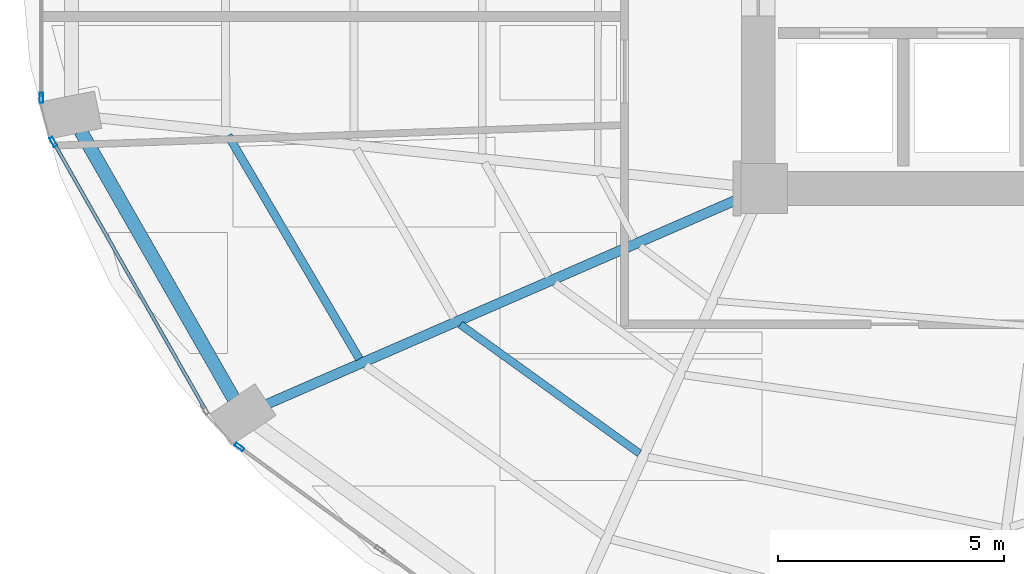
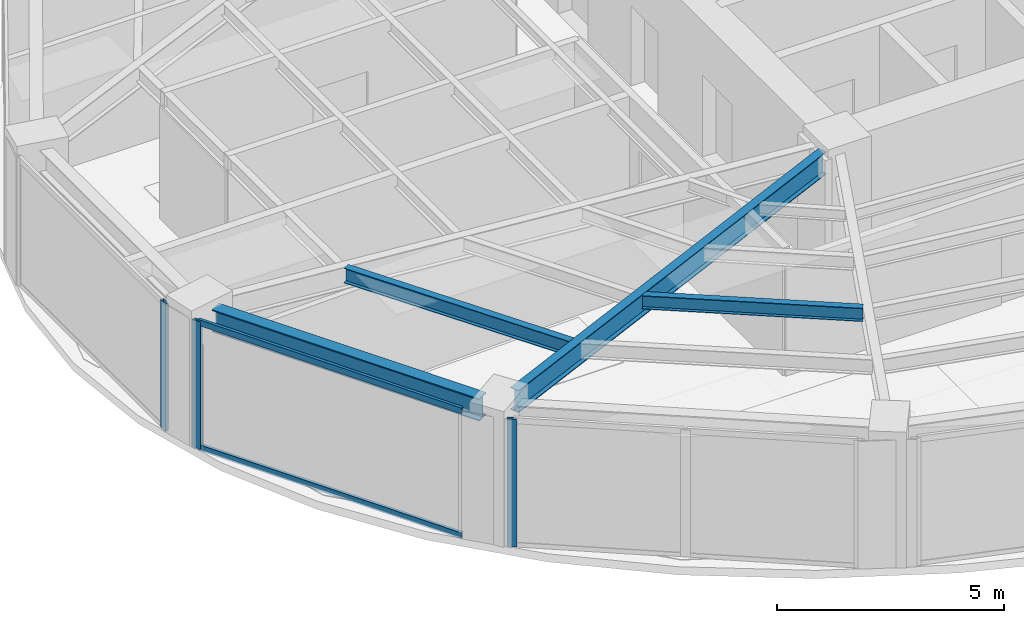
# One storey, part 3 of 24: 5 members, 4 beams, 3 elements without a shape of their own.
"""IFC4 building model written with IfcOpenShell, lengths in metres."""

from ifc_helpers import new_model, si_unit, direction, frame, origin, origin_2d, place, context, subcontext, project, spatial, hollow_rectangle, i_section, extrude, material, layer, layer_set, material_profile, profile_set, type_object, element, aggregate, save


model = new_model("IFC4")

# Units and contexts
model_context = context("Model", 3, precision=1e-05, world=origin(), true_north=direction((0.0, 1.0)))
body_context = subcontext(model_context, "Body", "Model", "MODEL_VIEW")
ifc_project = project(units=[si_unit("LENGTHUNIT", "METRE"), si_unit("AREAUNIT", "SQUARE_METRE"), si_unit("VOLUMEUNIT", "CUBIC_METRE"), si_unit("PLANEANGLEUNIT", "RADIAN"), si_unit("MASSUNIT", "GRAM", prefix="KILO")], contexts=[model_context])

# Site, building, storey
site_placement = place(None, origin())
site = spatial("IfcSite", under=ifc_project, at=site_placement, CompositionType="ELEMENT")
building_placement = place(site_placement, origin())
building = spatial("IfcBuilding", under=site, at=building_placement, Name="Lazwardi Medical Tower", CompositionType="ELEMENT")
storey_placement = place(building_placement, frame((0.0, 0.0, 96.3359375)))
storey = spatial("IfcBuildingStorey", under=building, at=storey_placement, Name="L24", CompositionType="ELEMENT", Elevation=96.3359375)

# Beams
ifc_material_1 = material(Name="Steel S355", Category="steel")
ifc_material_profile_1 = material_profile(ifc_material_1, i_section(OverallWidth=0.300048828125, OverallDepth=0.60009765625, WebThickness=0.015380859375, FlangeThickness=0.030029296875, at=origin_2d()), Name="HEB 600")
ifc_profile_set_1 = profile_set([ifc_material_profile_1], Name="Steel S355")
beam_type_1 = type_object("IfcBeamType", Name="BM-RB-Z2", PredefinedType="BEAM", material=ifc_profile_set_1)
beam_1_placement = place(storey_placement, frame((11.3408203125, 21.664306640625, 3.128173828125), z_axis=(0.496637551254, -0.867958030486, 0.0), x_axis=(0.867958030486, 0.496637551254, 0.0)))
element("IfcBeam", 1, at=beam_1_placement, inside=storey, type_object=beam_type_1, Name="Ring beam RB-03 B13 L24", PredefinedType="BEAM", context=body_context, shape_type="SweptSolid", body=[
    extrude(i_section(OverallWidth=0.300048828125, OverallDepth=0.60009765625, WebThickness=0.015380859375, FlangeThickness=0.030029296875, at=origin_2d()), origin(), (0.0, 0.0, 1.0), 6.801025390625),
])
ifc_material_profile_2 = material_profile(ifc_material_1, i_section(OverallWidth=0.219970703125, OverallDepth=0.60009765625, WebThickness=0.011962890625, FlangeThickness=0.01904296875, at=origin_2d()), Name="IPE 600")
ifc_profile_set_2 = profile_set([ifc_material_profile_2], Name="Steel S355")
beam_type_2 = type_object("IfcBeamType", Name="BM-RG-W1", PredefinedType="BEAM", material=ifc_profile_set_2)
beam_2_placement = place(storey_placement, frame((15.4541015625, 15.63671875, 3.128173828125), z_axis=(0.916941336121, 0.399022037127, 0.0), x_axis=(-0.399022037127, 0.916941336121, 0.0)))
element("IfcBeam", 2, at=beam_2_placement, inside=storey, type_object=beam_type_2, Name="Radial girder RG-02 R14 L24", PredefinedType="BEAM", context=body_context, shape_type="SweptSolid", body=[
    extrude(i_section(OverallWidth=0.219970703125, OverallDepth=0.60009765625, WebThickness=0.011962890625, FlangeThickness=0.01904296875, at=origin_2d()), origin(), (0.0, 0.0, 1.0), 11.40234375),
])
ifc_material_profile_3 = material_profile(ifc_material_1, i_section(OverallWidth=0.179931640625, OverallDepth=0.39990234375, WebThickness=0.008544921875, FlangeThickness=0.013427734375, at=origin_2d()), Name="IPE 400")
ifc_profile_set_3 = profile_set([ifc_material_profile_3], Name="Steel S355")
beam_type_3 = type_object("IfcBeamType", Name="BM-SJ-01", PredefinedType="JOIST", material=ifc_profile_set_3)
beam_3_placement = place(storey_placement, frame((14.597900390625, 21.56787109375, 3.22802734375), z_axis=(0.506195045201, -0.862419025888, 0.0), x_axis=(0.862419025888, 0.506195045201, 0.0)))
element("IfcBeam", 3, at=beam_3_placement, inside=storey, type_object=beam_type_3, Name="Secondary joist SJ-01 R1 B13 L24", PredefinedType="JOIST", context=body_context, shape_type="SweptSolid", body=[
    extrude(i_section(OverallWidth=0.179931640625, OverallDepth=0.39990234375, WebThickness=0.008544921875, FlangeThickness=0.013427734375, at=origin_2d()), origin(), (0.0, 0.0, 1.0), 5.71728515625),
])
ifc_material_profile_4 = material_profile(ifc_material_1, i_section(OverallWidth=0.169921875, OverallDepth=0.360107421875, WebThickness=0.008056640625, FlangeThickness=0.0126953125, at=origin_2d()), Name="IPE 360")
ifc_profile_set_4 = profile_set([ifc_material_profile_4], Name="Steel S355")
beam_type_4 = type_object("IfcBeamType", Name="BM-SJ-02", PredefinedType="JOIST", material=ifc_profile_set_4)
beam_4_placement = place(storey_placement, frame((19.721435546875, 17.395263671875, 3.248046875), z_axis=(0.811888517177, -0.583812500446, 0.0), x_axis=(0.583812500446, 0.811888517177, 0.0)))
element("IfcBeam", 4, at=beam_4_placement, inside=storey, type_object=beam_type_4, Name="Secondary joist SJ-02 R2 B14 L24", PredefinedType="JOIST", context=body_context, shape_type="SweptSolid", body=[
    extrude(i_section(OverallWidth=0.169921875, OverallDepth=0.360107421875, WebThickness=0.008056640625, FlangeThickness=0.0126953125, at=origin_2d()), origin(), (0.0, 0.0, 1.0), 4.874755859375),
])

# Curtain wall, member
ifc_material_2 = material(Name="Anodised bronze aluminium and solar control glazing", Category="aluminium")
ifc_layer = layer(ifc_material_2, 0.195068359375)
ifc_layer_set = layer_set([ifc_layer], Name="Anodised bronze aluminium and solar control glazing")
curtain_wall_type = type_object("IfcCurtainWallType", Name="CW-SYS-03", PredefinedType="NOTDEFINED", material=ifc_layer_set)
curtain_wall_1_placement = place(storey_placement, origin())
curtain_wall_1 = element("IfcCurtainWall", 5, at=curtain_wall_1_placement, inside=storey, type_object=curtain_wall_type, Name="L24 Unitised bronze curtain wall CW-03", PredefinedType="NOTDEFINED")
ifc_material_3 = material(Name="Anodised bronze aluminium", Category="aluminium")
ifc_material_profile_5 = material_profile(ifc_material_3, hollow_rectangle(XDim=0.074951171875, YDim=0.219970703125, WallThickness=0.00390625, at=origin_2d()), Name="ALU-MULLION 220x75x4")
ifc_profile_set_5 = profile_set([ifc_material_profile_5], Name="Anodised bronze aluminium")
member_type_1 = type_object("IfcMemberType", Name="CW-MUL-01", PredefinedType="MULLION", material=ifc_profile_set_5)
member_1_placement = place(storey_placement, frame((10.471923828125, 22.402587890625, 0.0), z_axis=(0.0, 0.0, 1.0), x_axis=(1.0, 0.0, 0.0)))
member_1 = element("IfcMember", 6, at=member_1_placement, type_object=member_type_1, Name="CW-03 mullion 2", PredefinedType="MULLION", context=body_context, shape_type="SweptSolid", body=[
    extrude(hollow_rectangle(XDim=0.074951171875, YDim=0.219970703125, WallThickness=0.00390625, at=origin_2d()), origin(), (0.0, 0.0, 1.0), 3.427978515625),
])
aggregate(curtain_wall_1, [member_1])

curtain_wall_2_placement = place(storey_placement, origin())
curtain_wall_2 = element("IfcCurtainWall", 7, at=curtain_wall_2_placement, inside=storey, type_object=curtain_wall_type, Name="L24 Unitised bronze curtain wall CW-03", PredefinedType="NOTDEFINED")
member_2_placement = place(storey_placement, frame((10.7373046875, 21.42626953125, 0.0), z_axis=(0.0, 0.0, 1.0), x_axis=(0.869687265712, 0.493603140041, 0.0)))
member_2 = element("IfcMember", 8, at=member_2_placement, type_object=member_type_1, Name="CW-03 mullion 1", PredefinedType="MULLION", context=body_context, shape_type="SweptSolid", body=[
    extrude(hollow_rectangle(XDim=0.074951171875, YDim=0.219970703125, WallThickness=0.00390625, at=origin_2d()), origin(), (0.0, 0.0, 1.0), 3.427978515625),
])

curtain_wall_3_placement = place(storey_placement, origin())
curtain_wall_3 = element("IfcCurtainWall", 9, at=curtain_wall_3_placement, inside=storey, type_object=curtain_wall_type, Name="L24 Unitised bronze curtain wall CW-03", PredefinedType="NOTDEFINED")
member_3_placement = place(storey_placement, frame((14.844970703125, 14.691162109375, 0.0), z_axis=(0.0, 0.0, 1.0), x_axis=(0.589530882802, 0.807745837639, 0.0)))
member_3 = element("IfcMember", 10, at=member_3_placement, type_object=member_type_1, Name="CW-03 mullion 1", PredefinedType="MULLION", context=body_context, shape_type="SweptSolid", body=[
    extrude(hollow_rectangle(XDim=0.074951171875, YDim=0.219970703125, WallThickness=0.00390625, at=origin_2d()), origin(), (0.0, 0.0, 1.0), 3.427978515625),
])
aggregate(curtain_wall_3, [member_3])

# Member
ifc_material_profile_6 = material_profile(ifc_material_3, hollow_rectangle(XDim=0.074951171875, YDim=0.159912109375, WallThickness=0.00390625, at=origin_2d()), Name="ALU-TRANSOM 160x75x4")
ifc_profile_set_6 = profile_set([ifc_material_profile_6], Name="Anodised bronze aluminium")
member_type_2 = type_object("IfcMemberType", Name="CW-TRN-01", PredefinedType="USERDEFINED", material=ifc_profile_set_6)
member_4_placement = place(storey_placement, frame((10.755859375, 21.3935546875, 0.03759765625), z_axis=(0.493614427365, -0.869680859337, 0.0), x_axis=(0.869680859337, 0.493614427365, 0.0)))
member_4 = element("IfcMember", 11, at=member_4_placement, type_object=member_type_2, Name="CW-03 transom 1.1", ObjectType="TRANSOM", PredefinedType="USERDEFINED", context=body_context, shape_type="SweptSolid", body=[
    extrude(hollow_rectangle(XDim=0.074951171875, YDim=0.159912109375, WallThickness=0.00390625, at=origin_2d()), origin(), (0.0, 0.0, 1.0), 6.72314453125),
])

member_5_placement = place(storey_placement, frame((10.755859375, 21.3935546875, 3.390625), z_axis=(0.493614427365, -0.869680859337, 0.0), x_axis=(0.869680859337, 0.493614427365, 0.0)))
member_5 = element("IfcMember", 12, at=member_5_placement, type_object=member_type_2, Name="CW-03 transom 1.2", ObjectType="TRANSOM", PredefinedType="USERDEFINED", context=body_context, shape_type="SweptSolid", body=[
    extrude(hollow_rectangle(XDim=0.074951171875, YDim=0.159912109375, WallThickness=0.00390625, at=origin_2d()), origin(), (0.0, 0.0, 1.0), 6.72314453125),
])

aggregate(curtain_wall_2, [member_2, member_4, member_5])

save(model, "model.ifc")
